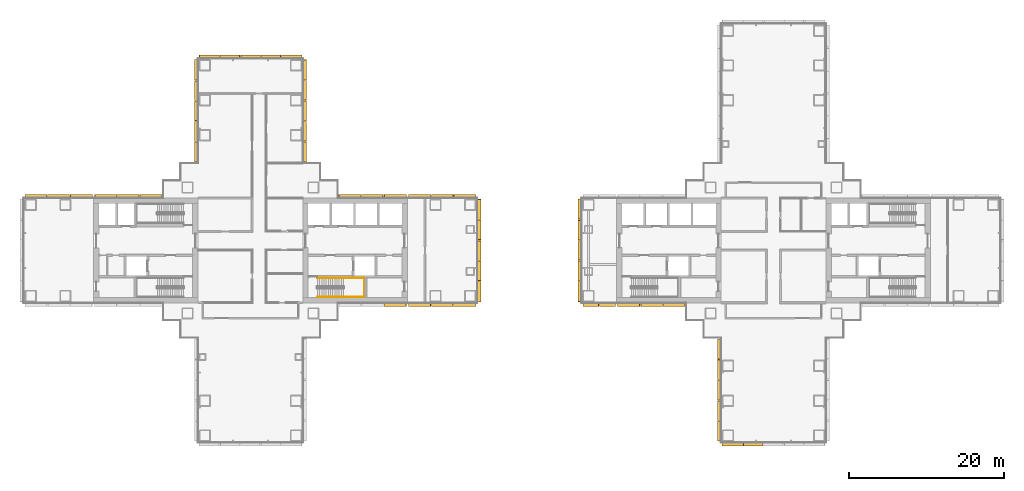
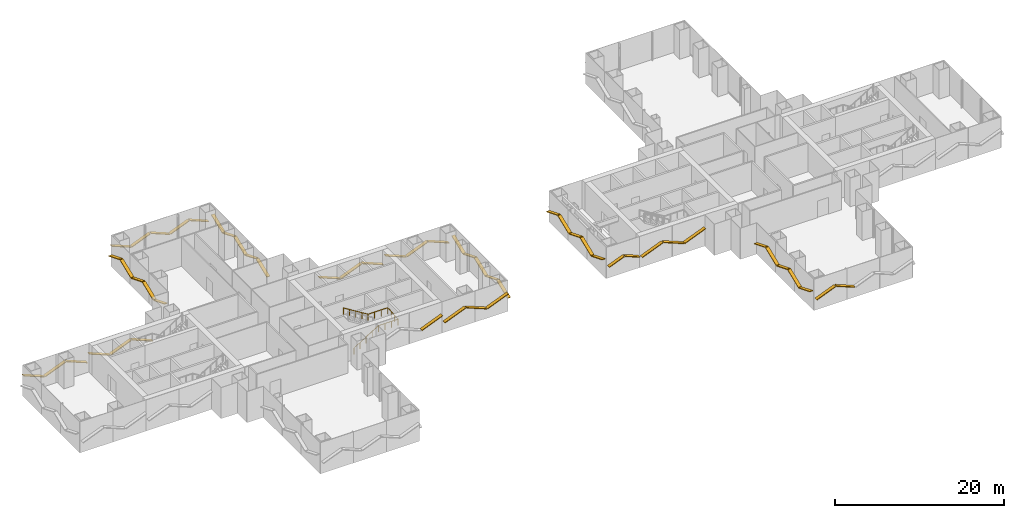
# One storey, part 20 of 22: 53 shading devices, 1 railing.
"""IFC4 building model written with IfcOpenShell, lengths in metres."""

from ifc_helpers import new_model, si_unit, direction, frame, origin, origin_2d, place, context, subcontext, project, spatial, rectangle, circle, extrude, material, material_profile, profile_set, type_object, element, save


model = new_model("IFC4")

# Units and contexts
model_context = context("Model", 3, precision=1e-05, world=origin(), true_north=direction((0.0, 1.0)))
body_context = subcontext(model_context, "Body", "Model", "MODEL_VIEW")
ifc_project = project(units=[si_unit("LENGTHUNIT", "METRE"), si_unit("AREAUNIT", "SQUARE_METRE"), si_unit("VOLUMEUNIT", "CUBIC_METRE"), si_unit("PLANEANGLEUNIT", "RADIAN"), si_unit("MASSUNIT", "GRAM", prefix="KILO")], contexts=[model_context])

# Site, building, storey
site_placement = place(None, origin())
site = spatial("IfcSite", under=ifc_project, at=site_placement, CompositionType="ELEMENT")
building_placement = place(site_placement, origin())
building = spatial("IfcBuilding", under=site, at=building_placement, Name="Shamsa Quay Exchange Towers", CompositionType="ELEMENT")
storey_placement = place(building_placement, frame((0.0, 0.0, 33.0)))
storey = spatial("IfcBuildingStorey", under=building, at=storey_placement, Name="L06", CompositionType="ELEMENT", Elevation=33.0)

# Shading devices
ifc_material_1 = material(Name="Aluminium EN AW-6063 T6, black anodised", Category="aluminium")
ifc_material_profile = material_profile(ifc_material_1, rectangle(XDim=0.449951171875, YDim=0.10009765625, at=origin_2d()), Name="FIN450x100")
ifc_profile_set = profile_set([ifc_material_profile], Name="Aluminium EN AW-6063 T6, black anodised")
shading_device_type = type_object("IfcShadingDeviceType", Name="FIN 450x100 BLACK ALUMINIUM", PredefinedType="USERDEFINED", material=ifc_profile_set)
shading_device_1_placement = place(storey_placement, frame((-16.4873046875, -7.01904296875, 1.326904296875), z_axis=(0.927200279974, 0.0, 0.374565936541), x_axis=(0.0, 1.0, 0.0)))
element("IfcShadingDevice", 1, at=shading_device_1_placement, inside=storey, type_object=shading_device_type, Name="FIN T1 chevron rib", ObjectType="FIN", PredefinedType="USERDEFINED", context=body_context, shape_type="SweptSolid", body=[
    extrude(rectangle(XDim=0.449951171875, YDim=0.10009765625, at=origin_2d()), origin(), (0.0, 0.0, 1.0), 3.060302734375),
])
shading_device_2_placement = place(storey_placement, frame((-13.35009765625, -7.014892578125, 1.32421875), z_axis=(0.927172879528, 0.0, 0.374633756445), x_axis=(0.0, 1.0, 0.0)))
element("IfcShadingDevice", 2, at=shading_device_2_placement, inside=storey, type_object=shading_device_type, Name="FIN T1 chevron rib", ObjectType="FIN", PredefinedType="USERDEFINED", context=body_context, shape_type="SweptSolid", body=[
    extrude(rectangle(XDim=0.449951171875, YDim=0.10009765625, at=origin_2d()), origin(), (0.0, 0.0, 1.0), 3.073974609375),
])
shading_device_3_placement = place(storey_placement, frame((-10.39990234375, -7.014892578125, 2.465576171875), z_axis=(0.927194321903, 0.0, -0.374580684808), x_axis=(0.0, 1.0, 0.0)))
element("IfcShadingDevice", 3, at=shading_device_3_placement, inside=storey, type_object=shading_device_type, Name="FIN T1 chevron rib", ObjectType="FIN", PredefinedType="USERDEFINED", context=body_context, shape_type="SweptSolid", body=[
    extrude(rectangle(XDim=0.449951171875, YDim=0.10009765625, at=origin_2d()), origin(), (0.0, 0.0, 1.0), 3.01953125),
])
shading_device_4_placement = place(storey_placement, frame((-7.5, -7.014892578125, 1.32421875), z_axis=(0.927172879528, 0.0, 0.374633756445), x_axis=(0.0, 1.0, 0.0)))
element("IfcShadingDevice", 4, at=shading_device_4_placement, inside=storey, type_object=shading_device_type, Name="FIN T1 chevron rib", ObjectType="FIN", PredefinedType="USERDEFINED", context=body_context, shape_type="SweptSolid", body=[
    extrude(rectangle(XDim=0.449951171875, YDim=0.10009765625, at=origin_2d()), origin(), (0.0, 0.0, 1.0), 3.073974609375),
])
shading_device_5_placement = place(storey_placement, frame((-4.235107421875, -6.60009765625, 1.376708984375), z_axis=(0.0, 0.927193392866, 0.374582984431), x_axis=(-1.0, 0.0, 0.0)))
element("IfcShadingDevice", 5, at=shading_device_5_placement, inside=storey, type_object=shading_device_type, Name="FIN T1 chevron rib", ObjectType="FIN", PredefinedType="USERDEFINED", context=body_context, shape_type="SweptSolid", body=[
    extrude(rectangle(XDim=0.449951171875, YDim=0.10009765625, at=origin_2d()), origin(), (0.0, 0.0, 1.0), 2.79345703125),
])
shading_device_6_placement = place(storey_placement, frame((-4.235107421875, -3.909912109375, 2.4130859375), z_axis=(0.0, 0.92718648049, -0.374600093963), x_axis=(-1.0, 0.0, 0.0)))
element("IfcShadingDevice", 6, at=shading_device_6_placement, inside=storey, type_object=shading_device_type, Name="FIN T1 chevron rib", ObjectType="FIN", PredefinedType="USERDEFINED", context=body_context, shape_type="SweptSolid", body=[
    extrude(rectangle(XDim=0.449951171875, YDim=0.10009765625, at=origin_2d()), origin(), (0.0, 0.0, 1.0), 2.7392578125),
])
shading_device_7_placement = place(storey_placement, frame((-4.235107421875, -1.27001953125, 1.386962890625), z_axis=(0.0, 0.927198985683, 0.37456914041), x_axis=(-1.0, 0.0, 0.0)))
element("IfcShadingDevice", 7, at=shading_device_7_placement, inside=storey, type_object=shading_device_type, Name="FIN T1 chevron rib", ObjectType="FIN", PredefinedType="USERDEFINED", context=body_context, shape_type="SweptSolid", body=[
    extrude(rectangle(XDim=0.449951171875, YDim=0.10009765625, at=origin_2d()), origin(), (0.0, 0.0, 1.0), 2.739501953125),
])
shading_device_8_placement = place(storey_placement, frame((-4.235107421875, 1.3701171875, 2.4130859375), z_axis=(0.0, 0.92718648049, -0.374600093963), x_axis=(-1.0, 0.0, 0.0)))
element("IfcShadingDevice", 8, at=shading_device_8_placement, inside=storey, type_object=shading_device_type, Name="FIN T1 chevron rib", ObjectType="FIN", PredefinedType="USERDEFINED", context=body_context, shape_type="SweptSolid", body=[
    extrude(rectangle(XDim=0.449951171875, YDim=0.10009765625, at=origin_2d()), origin(), (0.0, 0.0, 1.0), 2.7392578125),
])
shading_device_9_placement = place(storey_placement, frame((-4.235107421875, 4.010009765625, 1.376708984375), z_axis=(0.0, 0.927193392866, 0.374582984431), x_axis=(-1.0, 0.0, 0.0)))
element("IfcShadingDevice", 9, at=shading_device_9_placement, inside=storey, type_object=shading_device_type, Name="FIN T1 chevron rib", ObjectType="FIN", PredefinedType="USERDEFINED", context=body_context, shape_type="SweptSolid", body=[
    extrude(rectangle(XDim=0.449951171875, YDim=0.10009765625, at=origin_2d()), origin(), (0.0, 0.0, 1.0), 2.79345703125),
])
shading_device_10_placement = place(storey_placement, frame((-4.64990234375, 7.014892578125, 1.32421875), z_axis=(-0.927172879528, 0.0, 0.374633756445), x_axis=(0.0, -1.0, 0.0)))
element("IfcShadingDevice", 10, at=shading_device_10_placement, inside=storey, type_object=shading_device_type, Name="FIN T1 chevron rib", ObjectType="FIN", PredefinedType="USERDEFINED", context=body_context, shape_type="SweptSolid", body=[
    extrude(rectangle(XDim=0.449951171875, YDim=0.10009765625, at=origin_2d()), origin(), (0.0, 0.0, 1.0), 3.073974609375),
])
shading_device_11_placement = place(storey_placement, frame((-7.60009765625, 7.014892578125, 2.465576171875), z_axis=(-0.927194321903, 0.0, -0.374580684808), x_axis=(0.0, -1.0, 0.0)))
element("IfcShadingDevice", 11, at=shading_device_11_placement, inside=storey, type_object=shading_device_type, Name="FIN T1 chevron rib", ObjectType="FIN", PredefinedType="USERDEFINED", context=body_context, shape_type="SweptSolid", body=[
    extrude(rectangle(XDim=0.449951171875, YDim=0.10009765625, at=origin_2d()), origin(), (0.0, 0.0, 1.0), 3.01953125),
])
for number, where, z_axis, x_axis, name in (
    (12, (-10.5, 7.014892578125, 1.32421875), (-0.927172879528, 0.0, 0.374633756445), (0.0, -1.0, 0.0), "FIN T1 chevron rib"),
    (13, (-13.64990234375, 7.01904296875, 1.32421875), (-0.927172879528, 0.0, 0.374633756445), (0.0, -1.0, 0.0), "FIN T1 chevron rib"),
):
    element("IfcShadingDevice", number, at=place(storey_placement, frame(where, z_axis=z_axis, x_axis=x_axis)), inside=storey, type_object=shading_device_type, Name=name, ObjectType="FIN", PredefinedType="USERDEFINED", context=body_context, shape_type="SweptSolid", body=[
        extrude(rectangle(XDim=0.449951171875, YDim=0.10009765625, at=origin_2d()), origin(), (0.0, 0.0, 1.0), 3.073974609375),
    ])
shading_device_12_placement = place(storey_placement, frame((-16.60009765625, 7.01904296875, 2.465576171875), z_axis=(-0.927194321903, 0.0, -0.374580684808), x_axis=(0.0, -1.0, 0.0)))
element("IfcShadingDevice", 14, at=shading_device_12_placement, inside=storey, type_object=shading_device_type, Name="FIN T1 chevron rib", ObjectType="FIN", PredefinedType="USERDEFINED", context=body_context, shape_type="SweptSolid", body=[
    extrude(rectangle(XDim=0.449951171875, YDim=0.10009765625, at=origin_2d()), origin(), (0.0, 0.0, 1.0), 3.01953125),
])
shading_device_13_placement = place(storey_placement, frame((-19.5, 7.01904296875, 1.32421875), z_axis=(-0.927172879528, 0.0, 0.374633756445), x_axis=(0.0, -1.0, 0.0)))
element("IfcShadingDevice", 15, at=shading_device_13_placement, inside=storey, type_object=shading_device_type, Name="FIN T1 chevron rib", ObjectType="FIN", PredefinedType="USERDEFINED", context=body_context, shape_type="SweptSolid", body=[
    extrude(rectangle(XDim=0.449951171875, YDim=0.10009765625, at=origin_2d()), origin(), (0.0, 0.0, 1.0), 3.073974609375),
])
shading_device_14_placement = place(storey_placement, frame((-26.735107421875, 11.43798828125, 1.37841796875), z_axis=(0.0, 0.927207886392, 0.374547107067), x_axis=(-1.0, 0.0, 0.0)))
element("IfcShadingDevice", 16, at=shading_device_14_placement, inside=storey, type_object=shading_device_type, Name="FIN T1 chevron rib", ObjectType="FIN", PredefinedType="USERDEFINED", context=body_context, shape_type="SweptSolid", body=[
    extrude(rectangle(XDim=0.449951171875, YDim=0.10009765625, at=origin_2d()), origin(), (0.0, 0.0, 1.0), 2.78515625),
])
for number, where, z_axis, x_axis, name in (
    (17, (-26.735107421875, 14.120361328125, 2.41162109375), (0.0, 0.927182738176, -0.374609356569), (-1.0, 0.0, 0.0), "FIN T1 chevron rib"),
    (18, (-26.735107421875, 16.752685546875, 1.388427734375), (0.0, 0.927182738176, 0.374609356569), (-1.0, 0.0, 0.0), "FIN T1 chevron rib"),
):
    element("IfcShadingDevice", number, at=place(storey_placement, frame(where, z_axis=z_axis, x_axis=x_axis)), inside=storey, type_object=shading_device_type, Name=name, ObjectType="FIN", PredefinedType="USERDEFINED", context=body_context, shape_type="SweptSolid", body=[
        extrude(rectangle(XDim=0.449951171875, YDim=0.10009765625, at=origin_2d()), origin(), (0.0, 0.0, 1.0), 2.7314453125),
    ])
shading_device_15_placement = place(storey_placement, frame((-26.735107421875, 19.38525390625, 2.41162109375), z_axis=(0.0, 0.927170193131, -0.37464040488), x_axis=(-1.0, 0.0, 0.0)))
element("IfcShadingDevice", 19, at=shading_device_15_placement, inside=storey, type_object=shading_device_type, Name="FIN T1 chevron rib", ObjectType="FIN", PredefinedType="USERDEFINED", context=body_context, shape_type="SweptSolid", body=[
    extrude(rectangle(XDim=0.449951171875, YDim=0.10009765625, at=origin_2d()), origin(), (0.0, 0.0, 1.0), 2.731201171875),
])
shading_device_16_placement = place(storey_placement, frame((-26.735107421875, 22.017578125, 1.37841796875), z_axis=(0.0, 0.927207886392, 0.374547107067), x_axis=(-1.0, 0.0, 0.0)))
element("IfcShadingDevice", 20, at=shading_device_16_placement, inside=storey, type_object=shading_device_type, Name="FIN T1 chevron rib", ObjectType="FIN", PredefinedType="USERDEFINED", context=body_context, shape_type="SweptSolid", body=[
    extrude(rectangle(XDim=0.449951171875, YDim=0.10009765625, at=origin_2d()), origin(), (0.0, 0.0, 1.0), 2.78515625),
])
shading_device_17_placement = place(storey_placement, frame((-27.14990234375, 25.014892578125, 1.376708984375), z_axis=(-0.927193392866, 0.0, 0.374582984431), x_axis=(0.0, -1.0, 0.0)))
element("IfcShadingDevice", 21, at=shading_device_17_placement, inside=storey, type_object=shading_device_type, Name="FIN T1 chevron rib", ObjectType="FIN", PredefinedType="USERDEFINED", context=body_context, shape_type="SweptSolid", body=[
    extrude(rectangle(XDim=0.449951171875, YDim=0.10009765625, at=origin_2d()), origin(), (0.0, 0.0, 1.0), 2.79345703125),
])
shading_device_18_placement = place(storey_placement, frame((-29.840087890625, 25.014892578125, 2.4130859375), z_axis=(-0.92718648049, 0.0, -0.374600093963), x_axis=(0.0, -1.0, 0.0)))
element("IfcShadingDevice", 22, at=shading_device_18_placement, inside=storey, type_object=shading_device_type, Name="FIN T1 chevron rib", ObjectType="FIN", PredefinedType="USERDEFINED", context=body_context, shape_type="SweptSolid", body=[
    extrude(rectangle(XDim=0.449951171875, YDim=0.10009765625, at=origin_2d()), origin(), (0.0, 0.0, 1.0), 2.7392578125),
])
shading_device_19_placement = place(storey_placement, frame((-32.47998046875, 25.014892578125, 1.386962890625), z_axis=(-0.927198985683, 0.0, 0.37456914041), x_axis=(0.0, -1.0, 0.0)))
element("IfcShadingDevice", 23, at=shading_device_19_placement, inside=storey, type_object=shading_device_type, Name="FIN T1 chevron rib", ObjectType="FIN", PredefinedType="USERDEFINED", context=body_context, shape_type="SweptSolid", body=[
    extrude(rectangle(XDim=0.449951171875, YDim=0.10009765625, at=origin_2d()), origin(), (0.0, 0.0, 1.0), 2.739501953125),
])
shading_device_20_placement = place(storey_placement, frame((-35.1201171875, 25.014892578125, 2.4130859375), z_axis=(-0.92718648049, 0.0, -0.374600093963), x_axis=(0.0, -1.0, 0.0)))
element("IfcShadingDevice", 24, at=shading_device_20_placement, inside=storey, type_object=shading_device_type, Name="FIN T1 chevron rib", ObjectType="FIN", PredefinedType="USERDEFINED", context=body_context, shape_type="SweptSolid", body=[
    extrude(rectangle(XDim=0.449951171875, YDim=0.10009765625, at=origin_2d()), origin(), (0.0, 0.0, 1.0), 2.7392578125),
])
for number, where, z_axis, x_axis, name in (
    (25, (-37.760009765625, 25.014892578125, 1.376708984375), (-0.927193392866, 0.0, 0.374582984431), (0.0, -1.0, 0.0), "FIN T1 chevron rib"),
    (26, (-40.764892578125, 24.60009765625, 1.376708984375), (0.0, -0.927193392866, 0.374582984431), (1.0, 0.0, 0.0), "FIN T1 chevron rib"),
):
    element("IfcShadingDevice", number, at=place(storey_placement, frame(where, z_axis=z_axis, x_axis=x_axis)), inside=storey, type_object=shading_device_type, Name=name, ObjectType="FIN", PredefinedType="USERDEFINED", context=body_context, shape_type="SweptSolid", body=[
        extrude(rectangle(XDim=0.449951171875, YDim=0.10009765625, at=origin_2d()), origin(), (0.0, 0.0, 1.0), 2.79345703125),
    ])
shading_device_21_placement = place(storey_placement, frame((-40.764892578125, 21.909912109375, 2.4130859375), z_axis=(0.0, -0.92718648049, -0.374600093963), x_axis=(1.0, 0.0, 0.0)))
element("IfcShadingDevice", 27, at=shading_device_21_placement, inside=storey, type_object=shading_device_type, Name="FIN T1 chevron rib", ObjectType="FIN", PredefinedType="USERDEFINED", context=body_context, shape_type="SweptSolid", body=[
    extrude(rectangle(XDim=0.449951171875, YDim=0.10009765625, at=origin_2d()), origin(), (0.0, 0.0, 1.0), 2.7392578125),
])
shading_device_22_placement = place(storey_placement, frame((-40.764892578125, 19.27001953125, 1.386962890625), z_axis=(0.0, -0.927198985683, 0.37456914041), x_axis=(1.0, 0.0, 0.0)))
element("IfcShadingDevice", 28, at=shading_device_22_placement, inside=storey, type_object=shading_device_type, Name="FIN T1 chevron rib", ObjectType="FIN", PredefinedType="USERDEFINED", context=body_context, shape_type="SweptSolid", body=[
    extrude(rectangle(XDim=0.449951171875, YDim=0.10009765625, at=origin_2d()), origin(), (0.0, 0.0, 1.0), 2.739501953125),
])
shading_device_23_placement = place(storey_placement, frame((-40.764892578125, 16.6298828125, 2.4130859375), z_axis=(0.0, -0.92718648049, -0.374600093963), x_axis=(1.0, 0.0, 0.0)))
element("IfcShadingDevice", 29, at=shading_device_23_placement, inside=storey, type_object=shading_device_type, Name="FIN T1 chevron rib", ObjectType="FIN", PredefinedType="USERDEFINED", context=body_context, shape_type="SweptSolid", body=[
    extrude(rectangle(XDim=0.449951171875, YDim=0.10009765625, at=origin_2d()), origin(), (0.0, 0.0, 1.0), 2.7392578125),
])
shading_device_24_placement = place(storey_placement, frame((-40.764892578125, 13.989990234375, 1.376708984375), z_axis=(0.0, -0.927193392866, 0.374582984431), x_axis=(1.0, 0.0, 0.0)))
element("IfcShadingDevice", 30, at=shading_device_24_placement, inside=storey, type_object=shading_device_type, Name="FIN T1 chevron rib", ObjectType="FIN", PredefinedType="USERDEFINED", context=body_context, shape_type="SweptSolid", body=[
    extrude(rectangle(XDim=0.449951171875, YDim=0.10009765625, at=origin_2d()), origin(), (0.0, 0.0, 1.0), 2.79345703125),
])
shading_device_25_placement = place(storey_placement, frame((-45.18798828125, 7.01904296875, 1.326904296875), z_axis=(-0.927200279974, 0.0, 0.374565936541), x_axis=(0.0, -1.0, 0.0)))
element("IfcShadingDevice", 31, at=shading_device_25_placement, inside=storey, type_object=shading_device_type, Name="FIN T1 chevron rib", ObjectType="FIN", PredefinedType="USERDEFINED", context=body_context, shape_type="SweptSolid", body=[
    extrude(rectangle(XDim=0.449951171875, YDim=0.10009765625, at=origin_2d()), origin(), (0.0, 0.0, 1.0), 3.060302734375),
])
shading_device_26_placement = place(storey_placement, frame((-48.125244140625, 7.01904296875, 2.463134765625), z_axis=(-0.927177294124, 0.0, -0.374622830673), x_axis=(0.0, -1.0, 0.0)))
element("IfcShadingDevice", 32, at=shading_device_26_placement, inside=storey, type_object=shading_device_type, Name="FIN T1 chevron rib", ObjectType="FIN", PredefinedType="USERDEFINED", context=body_context, shape_type="SweptSolid", body=[
    extrude(rectangle(XDim=0.449951171875, YDim=0.10009765625, at=origin_2d()), origin(), (0.0, 0.0, 1.0), 3.00634765625),
])
shading_device_27_placement = place(storey_placement, frame((-51.0126953125, 7.01904296875, 1.326904296875), z_axis=(-0.927200279974, 0.0, 0.374565936541), x_axis=(0.0, -1.0, 0.0)))
element("IfcShadingDevice", 33, at=shading_device_27_placement, inside=storey, type_object=shading_device_type, Name="FIN T1 chevron rib", ObjectType="FIN", PredefinedType="USERDEFINED", context=body_context, shape_type="SweptSolid", body=[
    extrude(rectangle(XDim=0.449951171875, YDim=0.10009765625, at=origin_2d()), origin(), (0.0, 0.0, 1.0), 3.060302734375),
])
shading_device_28_placement = place(storey_placement, frame((-54.14990234375, 7.014892578125, 1.32421875), z_axis=(-0.927172879528, 0.0, 0.374633756445), x_axis=(0.0, -1.0, 0.0)))
element("IfcShadingDevice", 34, at=shading_device_28_placement, inside=storey, type_object=shading_device_type, Name="FIN T1 chevron rib", ObjectType="FIN", PredefinedType="USERDEFINED", context=body_context, shape_type="SweptSolid", body=[
    extrude(rectangle(XDim=0.449951171875, YDim=0.10009765625, at=origin_2d()), origin(), (0.0, 0.0, 1.0), 3.073974609375),
])
shading_device_29_placement = place(storey_placement, frame((-57.10009765625, 7.014892578125, 2.465576171875), z_axis=(-0.927194321903, 0.0, -0.374580684808), x_axis=(0.0, -1.0, 0.0)))
element("IfcShadingDevice", 35, at=shading_device_29_placement, inside=storey, type_object=shading_device_type, Name="FIN T1 chevron rib", ObjectType="FIN", PredefinedType="USERDEFINED", context=body_context, shape_type="SweptSolid", body=[
    extrude(rectangle(XDim=0.449951171875, YDim=0.10009765625, at=origin_2d()), origin(), (0.0, 0.0, 1.0), 3.01953125),
])
shading_device_30_placement = place(storey_placement, frame((-60.0, 7.014892578125, 1.32421875), z_axis=(-0.927172879528, 0.0, 0.374633756445), x_axis=(0.0, -1.0, 0.0)))
element("IfcShadingDevice", 36, at=shading_device_30_placement, inside=storey, type_object=shading_device_type, Name="FIN T1 chevron rib", ObjectType="FIN", PredefinedType="USERDEFINED", context=body_context, shape_type="SweptSolid", body=[
    extrude(rectangle(XDim=0.449951171875, YDim=0.10009765625, at=origin_2d()), origin(), (0.0, 0.0, 1.0), 3.073974609375),
])
shading_device_31_placement = place(storey_placement, frame((8.735107421875, 6.60009765625, 1.376708984375), z_axis=(0.0, -0.927193392866, 0.374582984431), x_axis=(1.0, 0.0, 0.0)))
element("IfcShadingDevice", 37, at=shading_device_31_placement, inside=storey, type_object=shading_device_type, Name="FIN T2 chevron rib", ObjectType="FIN", PredefinedType="USERDEFINED", context=body_context, shape_type="SweptSolid", body=[
    extrude(rectangle(XDim=0.449951171875, YDim=0.10009765625, at=origin_2d()), origin(), (0.0, 0.0, 1.0), 2.79345703125),
])
shading_device_32_placement = place(storey_placement, frame((8.735107421875, 3.909912109375, 2.4130859375), z_axis=(0.0, -0.92718648049, -0.374600093963), x_axis=(1.0, 0.0, 0.0)))
element("IfcShadingDevice", 38, at=shading_device_32_placement, inside=storey, type_object=shading_device_type, Name="FIN T2 chevron rib", ObjectType="FIN", PredefinedType="USERDEFINED", context=body_context, shape_type="SweptSolid", body=[
    extrude(rectangle(XDim=0.449951171875, YDim=0.10009765625, at=origin_2d()), origin(), (0.0, 0.0, 1.0), 2.7392578125),
])
shading_device_33_placement = place(storey_placement, frame((8.735107421875, 1.27001953125, 1.386962890625), z_axis=(0.0, -0.927198985683, 0.37456914041), x_axis=(1.0, 0.0, 0.0)))
element("IfcShadingDevice", 39, at=shading_device_33_placement, inside=storey, type_object=shading_device_type, Name="FIN T2 chevron rib", ObjectType="FIN", PredefinedType="USERDEFINED", context=body_context, shape_type="SweptSolid", body=[
    extrude(rectangle(XDim=0.449951171875, YDim=0.10009765625, at=origin_2d()), origin(), (0.0, 0.0, 1.0), 2.739501953125),
])
shading_device_34_placement = place(storey_placement, frame((8.735107421875, -1.3701171875, 2.4130859375), z_axis=(0.0, -0.92718648049, -0.374600093963), x_axis=(1.0, 0.0, 0.0)))
element("IfcShadingDevice", 40, at=shading_device_34_placement, inside=storey, type_object=shading_device_type, Name="FIN T2 chevron rib", ObjectType="FIN", PredefinedType="USERDEFINED", context=body_context, shape_type="SweptSolid", body=[
    extrude(rectangle(XDim=0.449951171875, YDim=0.10009765625, at=origin_2d()), origin(), (0.0, 0.0, 1.0), 2.7392578125),
])
shading_device_35_placement = place(storey_placement, frame((8.735107421875, -4.010009765625, 1.376708984375), z_axis=(0.0, -0.927193392866, 0.374582984431), x_axis=(1.0, 0.0, 0.0)))
element("IfcShadingDevice", 41, at=shading_device_35_placement, inside=storey, type_object=shading_device_type, Name="FIN T2 chevron rib", ObjectType="FIN", PredefinedType="USERDEFINED", context=body_context, shape_type="SweptSolid", body=[
    extrude(rectangle(XDim=0.449951171875, YDim=0.10009765625, at=origin_2d()), origin(), (0.0, 0.0, 1.0), 2.79345703125),
])
for number, where, z_axis, x_axis, name in (
    (42, (9.14990234375, -7.014892578125, 1.48583984375), (0.927168828628, 0.0, 0.374643781772), (0.0, 1.0, 0.0), "FIN T2 chevron rib"),
    (43, (11.300048828125, -7.014892578125, 2.314208984375), (0.927168828628, 0.0, -0.374643781772), (0.0, 1.0, 0.0), "FIN T2 chevron rib"),
):
    element("IfcShadingDevice", number, at=place(storey_placement, frame(where, z_axis=z_axis, x_axis=x_axis)), inside=storey, type_object=shading_device_type, Name=name, ObjectType="FIN", PredefinedType="USERDEFINED", context=body_context, shape_type="SweptSolid", body=[
        extrude(rectangle(XDim=0.449951171875, YDim=0.10009765625, at=origin_2d()), origin(), (0.0, 0.0, 1.0), 2.211181640625),
    ])
shading_device_36_placement = place(storey_placement, frame((13.64990234375, -7.01904296875, 1.32421875), z_axis=(0.927172879528, 0.0, 0.374633756445), x_axis=(0.0, 1.0, 0.0)))
element("IfcShadingDevice", 44, at=shading_device_36_placement, inside=storey, type_object=shading_device_type, Name="FIN T2 chevron rib", ObjectType="FIN", PredefinedType="USERDEFINED", context=body_context, shape_type="SweptSolid", body=[
    extrude(rectangle(XDim=0.449951171875, YDim=0.10009765625, at=origin_2d()), origin(), (0.0, 0.0, 1.0), 3.073974609375),
])
shading_device_37_placement = place(storey_placement, frame((16.60009765625, -7.01904296875, 2.465576171875), z_axis=(0.927194321903, 0.0, -0.374580684808), x_axis=(0.0, 1.0, 0.0)))
element("IfcShadingDevice", 45, at=shading_device_37_placement, inside=storey, type_object=shading_device_type, Name="FIN T2 chevron rib", ObjectType="FIN", PredefinedType="USERDEFINED", context=body_context, shape_type="SweptSolid", body=[
    extrude(rectangle(XDim=0.449951171875, YDim=0.10009765625, at=origin_2d()), origin(), (0.0, 0.0, 1.0), 3.01953125),
])
shading_device_38_placement = place(storey_placement, frame((19.5, -7.01904296875, 1.32421875), z_axis=(0.927172879528, 0.0, 0.374633756445), x_axis=(0.0, 1.0, 0.0)))
element("IfcShadingDevice", 46, at=shading_device_38_placement, inside=storey, type_object=shading_device_type, Name="FIN T2 chevron rib", ObjectType="FIN", PredefinedType="USERDEFINED", context=body_context, shape_type="SweptSolid", body=[
    extrude(rectangle(XDim=0.449951171875, YDim=0.10009765625, at=origin_2d()), origin(), (0.0, 0.0, 1.0), 3.073974609375),
])
shading_device_39_placement = place(storey_placement, frame((26.735107421875, -11.43798828125, 1.37841796875), z_axis=(0.0, -0.927207886392, 0.374547107067), x_axis=(1.0, 0.0, 0.0)))
element("IfcShadingDevice", 47, at=shading_device_39_placement, inside=storey, type_object=shading_device_type, Name="FIN T2 chevron rib", ObjectType="FIN", PredefinedType="USERDEFINED", context=body_context, shape_type="SweptSolid", body=[
    extrude(rectangle(XDim=0.449951171875, YDim=0.10009765625, at=origin_2d()), origin(), (0.0, 0.0, 1.0), 2.78515625),
])
for number, where, z_axis, x_axis, name in (
    (48, (26.735107421875, -14.120361328125, 2.41162109375), (0.0, -0.927182738176, -0.374609356569), (1.0, 0.0, 0.0), "FIN T2 chevron rib"),
    (49, (26.735107421875, -16.752685546875, 1.388427734375), (0.0, -0.927182738176, 0.374609356569), (1.0, 0.0, 0.0), "FIN T2 chevron rib"),
):
    element("IfcShadingDevice", number, at=place(storey_placement, frame(where, z_axis=z_axis, x_axis=x_axis)), inside=storey, type_object=shading_device_type, Name=name, ObjectType="FIN", PredefinedType="USERDEFINED", context=body_context, shape_type="SweptSolid", body=[
        extrude(rectangle(XDim=0.449951171875, YDim=0.10009765625, at=origin_2d()), origin(), (0.0, 0.0, 1.0), 2.7314453125),
    ])
shading_device_40_placement = place(storey_placement, frame((26.735107421875, -19.38525390625, 2.41162109375), z_axis=(0.0, -0.927170193131, -0.37464040488), x_axis=(1.0, 0.0, 0.0)))
element("IfcShadingDevice", 50, at=shading_device_40_placement, inside=storey, type_object=shading_device_type, Name="FIN T2 chevron rib", ObjectType="FIN", PredefinedType="USERDEFINED", context=body_context, shape_type="SweptSolid", body=[
    extrude(rectangle(XDim=0.449951171875, YDim=0.10009765625, at=origin_2d()), origin(), (0.0, 0.0, 1.0), 2.731201171875),
])
shading_device_41_placement = place(storey_placement, frame((26.735107421875, -22.017578125, 1.37841796875), z_axis=(0.0, -0.927207886392, 0.374547107067), x_axis=(1.0, 0.0, 0.0)))
element("IfcShadingDevice", 51, at=shading_device_41_placement, inside=storey, type_object=shading_device_type, Name="FIN T2 chevron rib", ObjectType="FIN", PredefinedType="USERDEFINED", context=body_context, shape_type="SweptSolid", body=[
    extrude(rectangle(XDim=0.449951171875, YDim=0.10009765625, at=origin_2d()), origin(), (0.0, 0.0, 1.0), 2.78515625),
])
shading_device_42_placement = place(storey_placement, frame((27.14990234375, -25.014892578125, 1.376708984375), z_axis=(0.927193392866, 0.0, 0.374582984431), x_axis=(0.0, 1.0, 0.0)))
element("IfcShadingDevice", 52, at=shading_device_42_placement, inside=storey, type_object=shading_device_type, Name="FIN T2 chevron rib", ObjectType="FIN", PredefinedType="USERDEFINED", context=body_context, shape_type="SweptSolid", body=[
    extrude(rectangle(XDim=0.449951171875, YDim=0.10009765625, at=origin_2d()), origin(), (0.0, 0.0, 1.0), 2.79345703125),
])
shading_device_43_placement = place(storey_placement, frame((29.840087890625, -25.014892578125, 2.4130859375), z_axis=(0.92718648049, 0.0, -0.374600093963), x_axis=(0.0, 1.0, 0.0)))
element("IfcShadingDevice", 53, at=shading_device_43_placement, inside=storey, type_object=shading_device_type, Name="FIN T2 chevron rib", ObjectType="FIN", PredefinedType="USERDEFINED", context=body_context, shape_type="SweptSolid", body=[
    extrude(rectangle(XDim=0.449951171875, YDim=0.10009765625, at=origin_2d()), origin(), (0.0, 0.0, 1.0), 2.7392578125),
])

# Railing
ifc_material_2 = material(Name="Stainless steel", Category="steel")
railing_type = type_object("IfcRailingType", Name="STAIR HANDRAIL 900", PredefinedType="HANDRAIL", material=ifc_material_2)
railing_placement = place(storey_placement, frame((-25.10009765625, -6.0, 0.173095703125)))
element("IfcRailing", 54, at=railing_placement, inside=storey, type_object=railing_type, Name="L06 ST1 stair handrail 1", PredefinedType="HANDRAIL", context=body_context, shape_type="SweptSolid", body=[
    extrude(circle(Radius=0.02392578125, at=origin_2d()), frame((0.0, 0.0, 0.8759765625), z_axis=(0.850623216509, 0.0, 0.525775754039), x_axis=(0.0, 1.0, 0.0)), (0.0, 0.0, 1.0), 3.9501953125),
    extrude(circle(Radius=0.02392578125, at=origin_2d()), frame((3.360107421875, 0.0, 2.95263671875), z_axis=(1.0, 0.0, 0.0), x_axis=(0.0, 1.0, 0.0)), (0.0, 0.0, 1.0), 2.68994140625),
    extrude(circle(Radius=0.02392578125, at=origin_2d()), frame((6.050048828125, 0.0, 2.95263671875), z_axis=(0.0, 0.997513402493, 0.07047703063), x_axis=(-1.0, 0.0, 0.0)), (0.0, 0.0, 1.0), 2.4560546875),
    extrude(circle(Radius=0.02392578125, at=origin_2d()), frame((6.050048828125, 2.449951171875, 3.1259765625), z_axis=(-1.0, 0.0, 0.0), x_axis=(0.0, -1.0, 0.0)), (0.0, 0.0, 1.0), 2.68994140625),
    extrude(circle(Radius=0.02392578125, at=origin_2d()), frame((3.360107421875, 2.449951171875, 3.1259765625), z_axis=(-0.850623216509, 0.0, 0.525775754039), x_axis=(0.0, -1.0, 0.0)), (0.0, 0.0, 1.0), 3.9501953125),
    extrude(circle(Radius=0.02099609375, at=origin_2d()), origin(), (0.0, 0.0, 1.0), 0.851806640625),
    extrude(circle(Radius=0.02099609375, at=origin_2d()), frame((0.840087890625, 0.0, 0.519287109375)), (0.0, 0.0, 1.0), 0.851806640625),
    extrude(circle(Radius=0.02099609375, at=origin_2d()), frame((1.68017578125, 0.0, 1.03857421875)), (0.0, 0.0, 1.0), 0.851806640625),
    extrude(circle(Radius=0.02099609375, at=origin_2d()), frame((2.52001953125, 0.0, 1.5576171875)), (0.0, 0.0, 1.0), 0.851806640625),
    extrude(circle(Radius=0.02099609375, at=origin_2d()), frame((3.360107421875, 0.0, 2.076904296875)), (0.0, 0.0, 1.0), 0.851806640625),
    extrude(circle(Radius=0.02099609375, at=origin_2d()), frame((4.2568359375, 0.0, 2.076904296875)), (0.0, 0.0, 1.0), 0.851806640625),
    extrude(circle(Radius=0.02099609375, at=origin_2d()), frame((5.1533203125, 0.0, 2.076904296875)), (0.0, 0.0, 1.0), 0.851806640625),
    extrude(circle(Radius=0.02099609375, at=origin_2d()), frame((6.050048828125, 0.0, 2.076904296875)), (0.0, 0.0, 1.0), 0.851806640625),
    extrude(circle(Radius=0.02099609375, at=origin_2d()), frame((6.050048828125, 0.816650390625, 2.134521484375)), (0.0, 0.0, 1.0), 0.851806640625),
    extrude(circle(Radius=0.02099609375, at=origin_2d()), frame((6.050048828125, 1.63330078125, 2.1923828125)), (0.0, 0.0, 1.0), 0.851806640625),
    extrude(circle(Radius=0.02099609375, at=origin_2d()), frame((6.050048828125, 2.449951171875, 2.25)), (0.0, 0.0, 1.0), 0.851806640625),
    extrude(circle(Radius=0.02099609375, at=origin_2d()), frame((5.1533203125, 2.449951171875, 2.25)), (0.0, 0.0, 1.0), 0.851806640625),
    extrude(circle(Radius=0.02099609375, at=origin_2d()), frame((4.2568359375, 2.449951171875, 2.25)), (0.0, 0.0, 1.0), 0.851806640625),
    extrude(circle(Radius=0.02099609375, at=origin_2d()), frame((3.360107421875, 2.449951171875, 2.25)), (0.0, 0.0, 1.0), 0.851806640625),
    extrude(circle(Radius=0.02099609375, at=origin_2d()), frame((2.52001953125, 2.449951171875, 2.769287109375)), (0.0, 0.0, 1.0), 0.851806640625),
    extrude(circle(Radius=0.02099609375, at=origin_2d()), frame((1.68017578125, 2.449951171875, 3.28857421875)), (0.0, 0.0, 1.0), 0.851806640625),
    extrude(circle(Radius=0.02099609375, at=origin_2d()), frame((0.840087890625, 2.449951171875, 3.8076171875)), (0.0, 0.0, 1.0), 0.851806640625),
    extrude(circle(Radius=0.02099609375, at=origin_2d()), frame((0.0, 2.449951171875, 4.326904296875)), (0.0, 0.0, 1.0), 0.851806640625),
])

save(model, "model.ifc")
